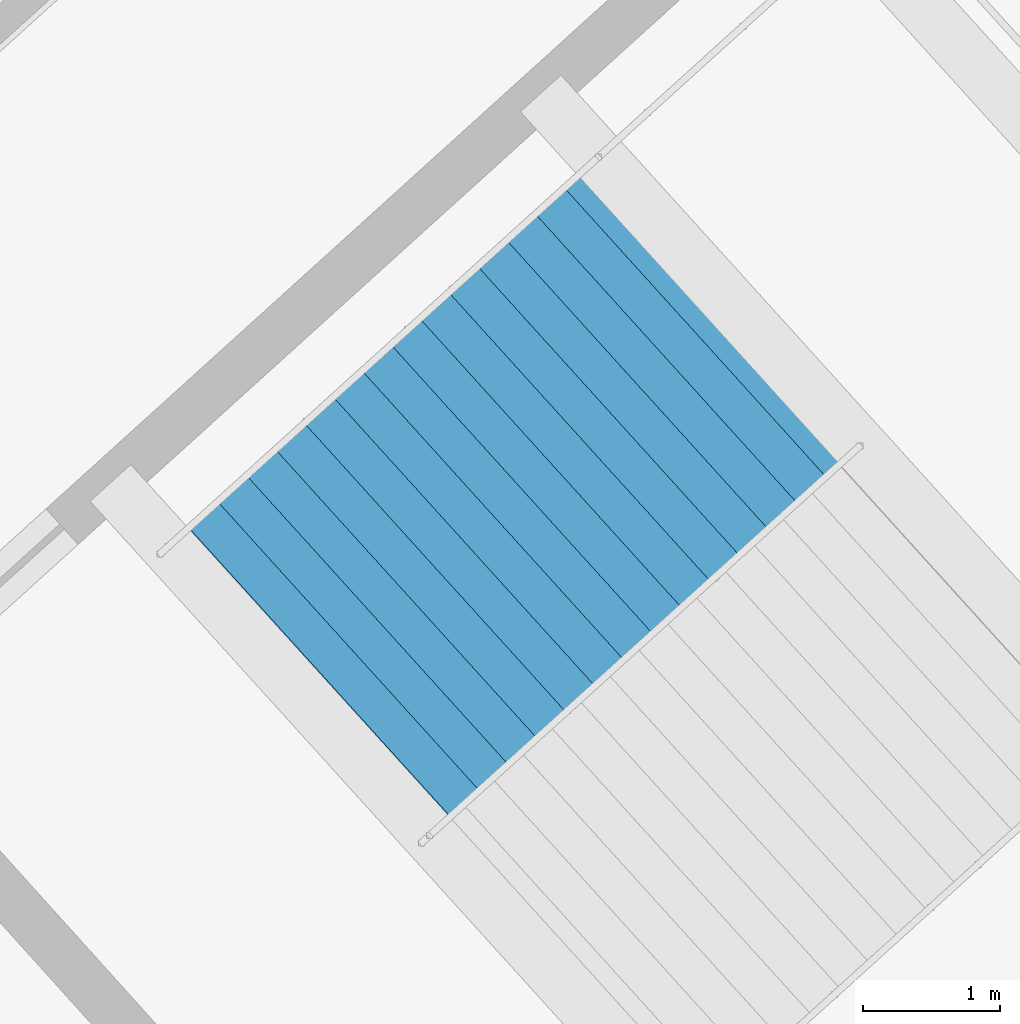
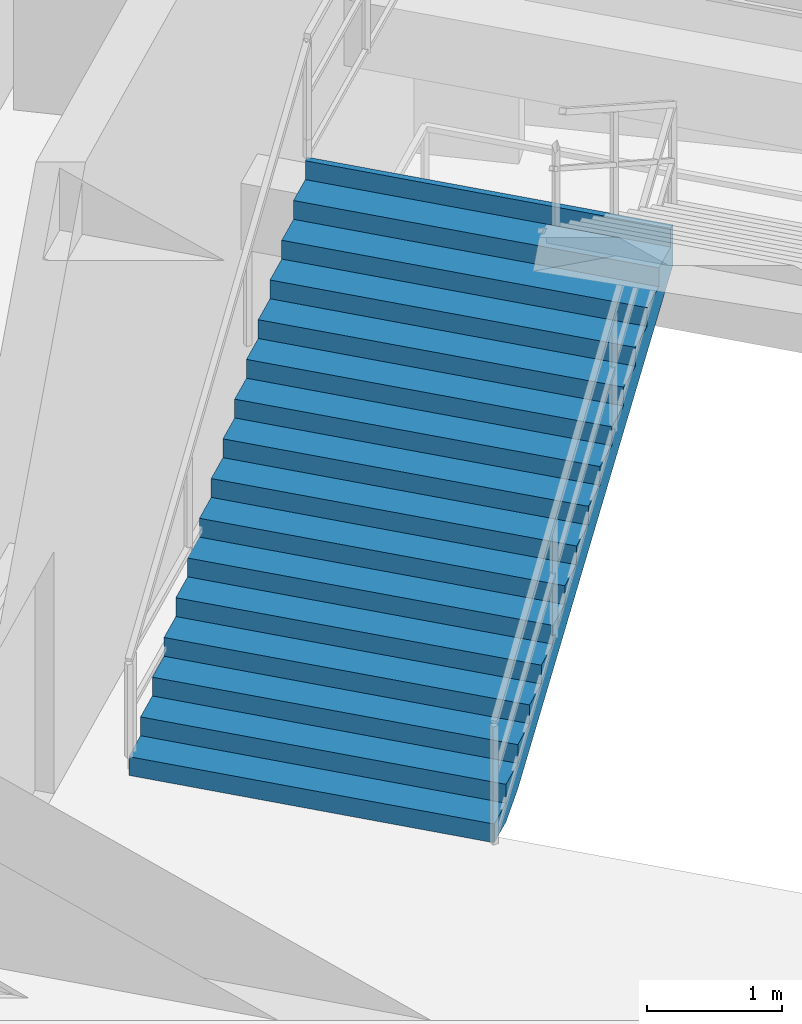
# One storey, part 155 of 162: 1 stair flight, 1 element without a shape of its own.
"""IFC4 building model written with IfcOpenShell, lengths in metres."""

from ifc_helpers import new_model, si_unit, direction, frame, origin, place, context, subcontext, project, spatial, polygons, material, type_object, element, aggregate, save


model = new_model("IFC4")

# Units and contexts
model_context = context("Model", 3, precision=1e-05, world=origin(), true_north=direction((0.0, 1.0)))
body_context = subcontext(model_context, "Body", "Model", "MODEL_VIEW")
ifc_project = project(units=[si_unit("LENGTHUNIT", "METRE"), si_unit("AREAUNIT", "SQUARE_METRE"), si_unit("VOLUMEUNIT", "CUBIC_METRE"), si_unit("PLANEANGLEUNIT", "RADIAN"), si_unit("MASSUNIT", "GRAM", prefix="KILO")], contexts=[model_context])

# Site, building, storey
site_placement = place(None, origin())
site = spatial("IfcSite", under=ifc_project, at=site_placement, CompositionType="ELEMENT")
building_placement = place(site_placement, origin())
building = spatial("IfcBuilding", under=site, at=building_placement, Name="Kazemori Nagisa Stadium", CompositionType="ELEMENT")
storey_placement = place(building_placement, frame((0.0, 0.0, 36.719970703125)))
storey = spatial("IfcBuildingStorey", under=building, at=storey_placement, Name="RF", CompositionType="ELEMENT", Elevation=36.719970703125)

# Stair, stair flight
ifc_material = material(Name="Concrete C36/45 (Fc36)", Category="concrete")
stair_type = type_object("IfcStairType", Name="Stair_CORE_32", PredefinedType="TWO_STRAIGHT_RUN_STAIR", material=ifc_material)
stair_placement = place(storey_placement, origin())
stair = element("IfcStair", 1, at=stair_placement, inside=storey, type_object=stair_type, Name="Exit stair ST04 RF", PredefinedType="TWO_STRAIGHT_RUN_STAIR")
stair_flight_type = type_object("IfcStairFlightType", Name="Flight_CORE_16", PredefinedType="STRAIGHT", material=ifc_material)
stair_flight_placement = place(storey_placement, frame((182.77587890625, 39.410400390625, 0.0), z_axis=(0.0, 0.0, 1.0), x_axis=(0.741328742395, 0.671142083093, 0.0)))
stair_flight = element("IfcStairFlight", 2, at=stair_flight_placement, type_object=stair_flight_type, Name="Exit stair ST04 RF flight 1", NumberOfRisers=16, NumberOfTreads=15, PredefinedType="STRAIGHT", RiserHeight=0.17, TreadLength=0.285, context=body_context, shape_type="Tessellation", body=[
    polygons([(0.0, -1.425048828125, 0.0), (0.0, -1.425048828125, 0.169921875), (0.284912109375, -1.425048828125, 0.169921875), (0.284912109375, -1.425048828125, 0.340087890625), (0.570068359375, -1.425048828125, 0.340087890625), (0.570068359375, -1.425048828125, 0.510009765625), (0.85498046875, -1.425048828125, 0.510009765625), (0.85498046875, -1.425048828125, 0.679931640625), (1.139892578125, -1.425048828125, 0.679931640625), (1.139892578125, -1.425048828125, 0.85009765625), (1.425048828125, -1.425048828125, 0.85009765625), (1.425048828125, -1.425048828125, 1.02001953125), (1.7099609375, -1.425048828125, 1.02001953125), (1.7099609375, -1.425048828125, 1.18994140625), (1.9951171875, -1.425048828125, 1.18994140625), (1.9951171875, -1.425048828125, 1.360107421875), (2.280029296875, -1.425048828125, 1.360107421875), (2.280029296875, -1.425048828125, 1.530029296875), (2.56494140625, -1.425048828125, 1.530029296875), (2.56494140625, -1.425048828125, 1.699951171875), (2.85009765625, -1.425048828125, 1.699951171875), (2.85009765625, -1.425048828125, 1.8701171875), (3.135009765625, -1.425048828125, 1.8701171875), (3.135009765625, -1.425048828125, 2.0400390625), (3.419921875, -1.425048828125, 2.0400390625), (3.419921875, -1.425048828125, 2.2099609375), (3.705078125, -1.425048828125, 2.2099609375), (3.705078125, -1.425048828125, 2.3798828125), (3.989990234375, -1.425048828125, 2.3798828125), (3.989990234375, -1.425048828125, 2.550048828125), (4.27490234375, -1.425048828125, 2.550048828125), (4.27490234375, -1.425048828125, 2.719970703125), (4.324951171875, -1.425048828125, 2.719970703125), (4.324951171875, -1.425048828125, 2.346923828125), (4.27490234375, -1.425048828125, 2.317138671875), (3.989990234375, -1.425048828125, 2.147216796875), (3.705078125, -1.425048828125, 1.977294921875), (3.419921875, -1.425048828125, 1.80712890625), (3.135009765625, -1.425048828125, 1.63720703125), (2.85009765625, -1.425048828125, 1.46728515625), (2.56494140625, -1.425048828125, 1.297119140625), (2.280029296875, -1.425048828125, 1.127197265625), (1.9951171875, -1.425048828125, 0.957275390625), (1.7099609375, -1.425048828125, 0.787109375), (1.425048828125, -1.425048828125, 0.6171875), (1.139892578125, -1.425048828125, 0.447265625), (0.85498046875, -1.425048828125, 0.277099609375), (0.570068359375, -1.425048828125, 0.107177734375), (0.284912109375, -1.425048828125, 0.0), (0.0, -0.08544921875, 0.0), (0.0, -0.08544921875, 0.169921875), (0.284912109375, -0.08544921875, 0.169921875), (0.284912109375, -0.08544921875, 0.340087890625), (0.570068359375, -0.08544921875, 0.340087890625), (0.570068359375, -0.08544921875, 0.510009765625), (0.85498046875, -0.08544921875, 0.510009765625), (0.85498046875, -0.08544921875, 0.679931640625), (1.139892578125, -0.08544921875, 0.679931640625), (1.139892578125, -0.08544921875, 0.85009765625), (1.425048828125, -0.08544921875, 0.85009765625), (1.425048828125, -0.08544921875, 1.02001953125), (1.7099609375, -0.08544921875, 1.02001953125), (1.7099609375, -0.08544921875, 1.18994140625), (1.9951171875, -0.08544921875, 1.18994140625), (1.9951171875, -0.08544921875, 1.360107421875), (2.280029296875, -0.08544921875, 1.360107421875), (2.280029296875, -0.08544921875, 1.530029296875), (2.56494140625, -0.08544921875, 1.530029296875), (2.56494140625, -0.08544921875, 1.699951171875), (2.85009765625, -0.08544921875, 1.699951171875), (2.85009765625, -0.08544921875, 1.8701171875), (3.135009765625, -0.08544921875, 1.8701171875), (3.135009765625, -0.08544921875, 2.0400390625), (3.419921875, -0.08544921875, 2.0400390625), (3.419921875, -0.08544921875, 2.2099609375), (3.705078125, -0.08544921875, 2.2099609375), (3.705078125, -0.08544921875, 2.3798828125), (3.989990234375, -0.08544921875, 2.3798828125), (3.989990234375, -0.08544921875, 2.550048828125), (4.27490234375, -0.08544921875, 2.550048828125), (4.27490234375, -0.08544921875, 2.719970703125), (4.324951171875, -0.08544921875, 2.719970703125), (4.324951171875, -0.08544921875, 2.346923828125), (4.27490234375, -0.08544921875, 2.317138671875), (3.989990234375, -0.08544921875, 2.147216796875), (3.705078125, -0.08544921875, 1.977294921875), (3.419921875, -0.08544921875, 1.80712890625), (3.135009765625, -0.08544921875, 1.63720703125), (2.85009765625, -0.08544921875, 1.46728515625), (2.56494140625, -0.08544921875, 1.297119140625), (2.280029296875, -0.08544921875, 1.127197265625), (1.9951171875, -0.08544921875, 0.957275390625), (1.7099609375, -0.08544921875, 0.787109375), (1.425048828125, -0.08544921875, 0.6171875), (1.139892578125, -0.08544921875, 0.447265625), (0.85498046875, -0.08544921875, 0.277099609375), (0.570068359375, -0.08544921875, 0.107177734375), (0.284912109375, -0.08544921875, 0.0), (0.0, 0.0, 0.0), (0.0, 0.0, 0.169921875), (0.284912109375, 0.0, 0.169921875), (0.284912109375, 0.0, 0.340087890625), (0.570068359375, 0.0, 0.340087890625), (0.570068359375, 0.0, 0.510009765625), (0.85498046875, 0.0, 0.510009765625), (0.85498046875, 0.0, 0.679931640625), (1.139892578125, 0.0, 0.679931640625), (1.139892578125, 0.0, 0.85009765625), (1.425048828125, 0.0, 0.85009765625), (1.425048828125, 0.0, 1.02001953125), (1.7099609375, 0.0, 1.02001953125), (1.7099609375, 0.0, 1.18994140625), (1.9951171875, 0.0, 1.18994140625), (1.9951171875, 0.0, 1.360107421875), (2.280029296875, 0.0, 1.360107421875), (2.280029296875, 0.0, 1.530029296875), (2.56494140625, 0.0, 1.530029296875), (2.56494140625, 0.0, 1.699951171875), (2.85009765625, 0.0, 1.699951171875), (2.85009765625, 0.0, 1.8701171875), (3.135009765625, 0.0, 1.8701171875), (3.135009765625, 0.0, 2.0400390625), (3.419921875, 0.0, 2.0400390625), (3.419921875, 0.0, 2.2099609375), (3.705078125, 0.0, 2.2099609375), (3.705078125, 0.0, 2.3798828125), (3.989990234375, 0.0, 2.3798828125), (3.989990234375, 0.0, 2.550048828125), (4.27490234375, 0.0, 2.550048828125), (4.27490234375, 0.0, 2.719970703125), (4.324951171875, 0.0, 2.719970703125), (4.324951171875, 0.0, 2.346923828125), (4.27490234375, 0.0, 2.317138671875), (3.989990234375, 0.0, 2.147216796875), (3.705078125, 0.0, 1.977294921875), (3.419921875, 0.0, 1.80712890625), (3.135009765625, 0.0, 1.63720703125), (2.85009765625, 0.0, 1.46728515625), (2.56494140625, 0.0, 1.297119140625), (2.280029296875, 0.0, 1.127197265625), (1.9951171875, 0.0, 0.957275390625), (1.7099609375, 0.0, 0.787109375), (1.425048828125, 0.0, 0.6171875), (1.139892578125, 0.0, 0.447265625), (0.85498046875, 0.0, 0.277099609375), (0.570068359375, 0.0, 0.107177734375), (0.284912109375, 0.0, 0.0), (0.0, 0.08544921875, 0.0), (0.0, 0.08544921875, 0.169921875), (0.284912109375, 0.08544921875, 0.169921875), (0.284912109375, 0.08544921875, 0.340087890625), (0.570068359375, 0.08544921875, 0.340087890625), (0.570068359375, 0.08544921875, 0.510009765625), (0.85498046875, 0.08544921875, 0.510009765625), (0.85498046875, 0.08544921875, 0.679931640625), (1.139892578125, 0.08544921875, 0.679931640625), (1.139892578125, 0.08544921875, 0.85009765625), (1.425048828125, 0.08544921875, 0.85009765625), (1.425048828125, 0.08544921875, 1.02001953125), (1.7099609375, 0.08544921875, 1.02001953125), (1.7099609375, 0.08544921875, 1.18994140625), (1.9951171875, 0.08544921875, 1.18994140625), (1.9951171875, 0.08544921875, 1.360107421875), (2.280029296875, 0.08544921875, 1.360107421875), (2.280029296875, 0.08544921875, 1.530029296875), (2.56494140625, 0.08544921875, 1.530029296875), (2.56494140625, 0.08544921875, 1.699951171875), (2.85009765625, 0.08544921875, 1.699951171875), (2.85009765625, 0.08544921875, 1.8701171875), (3.135009765625, 0.08544921875, 1.8701171875), (3.135009765625, 0.08544921875, 2.0400390625), (3.419921875, 0.08544921875, 2.0400390625), (3.419921875, 0.08544921875, 2.2099609375), (3.705078125, 0.08544921875, 2.2099609375), (3.705078125, 0.08544921875, 2.3798828125), (3.989990234375, 0.08544921875, 2.3798828125), (3.989990234375, 0.08544921875, 2.550048828125), (4.27490234375, 0.08544921875, 2.550048828125), (4.27490234375, 0.08544921875, 2.719970703125), (4.324951171875, 0.08544921875, 2.719970703125), (4.324951171875, 0.08544921875, 2.346923828125), (4.27490234375, 0.08544921875, 2.317138671875), (3.989990234375, 0.08544921875, 2.147216796875), (3.705078125, 0.08544921875, 1.977294921875), (3.419921875, 0.08544921875, 1.80712890625), (3.135009765625, 0.08544921875, 1.63720703125), (2.85009765625, 0.08544921875, 1.46728515625), (2.56494140625, 0.08544921875, 1.297119140625), (2.280029296875, 0.08544921875, 1.127197265625), (1.9951171875, 0.08544921875, 0.957275390625), (1.7099609375, 0.08544921875, 0.787109375), (1.425048828125, 0.08544921875, 0.6171875), (1.139892578125, 0.08544921875, 0.447265625), (0.85498046875, 0.08544921875, 0.277099609375), (0.570068359375, 0.08544921875, 0.107177734375), (0.284912109375, 0.08544921875, 0.0), (0.0, 1.425048828125, 0.0), (0.0, 1.425048828125, 0.169921875), (0.284912109375, 1.425048828125, 0.169921875), (0.284912109375, 1.425048828125, 0.340087890625), (0.570068359375, 1.425048828125, 0.340087890625), (0.570068359375, 1.425048828125, 0.510009765625), (0.85498046875, 1.425048828125, 0.510009765625), (0.85498046875, 1.425048828125, 0.679931640625), (1.139892578125, 1.425048828125, 0.679931640625), (1.139892578125, 1.425048828125, 0.85009765625), (1.425048828125, 1.425048828125, 0.85009765625), (1.425048828125, 1.425048828125, 1.02001953125), (1.7099609375, 1.425048828125, 1.02001953125), (1.7099609375, 1.425048828125, 1.18994140625), (1.9951171875, 1.425048828125, 1.18994140625), (1.9951171875, 1.425048828125, 1.360107421875), (2.280029296875, 1.425048828125, 1.360107421875), (2.280029296875, 1.425048828125, 1.530029296875), (2.56494140625, 1.425048828125, 1.530029296875), (2.56494140625, 1.425048828125, 1.699951171875), (2.85009765625, 1.425048828125, 1.699951171875), (2.85009765625, 1.425048828125, 1.8701171875), (3.135009765625, 1.425048828125, 1.8701171875), (3.135009765625, 1.425048828125, 2.0400390625), (3.419921875, 1.425048828125, 2.0400390625), (3.419921875, 1.425048828125, 2.2099609375), (3.705078125, 1.425048828125, 2.2099609375), (3.705078125, 1.425048828125, 2.3798828125), (3.989990234375, 1.425048828125, 2.3798828125), (3.989990234375, 1.425048828125, 2.550048828125), (4.27490234375, 1.425048828125, 2.550048828125), (4.27490234375, 1.425048828125, 2.719970703125), (4.324951171875, 1.425048828125, 2.719970703125), (4.324951171875, 1.425048828125, 2.346923828125), (4.27490234375, 1.425048828125, 2.317138671875), (3.989990234375, 1.425048828125, 2.147216796875), (3.705078125, 1.425048828125, 1.977294921875), (3.419921875, 1.425048828125, 1.80712890625), (3.135009765625, 1.425048828125, 1.63720703125), (2.85009765625, 1.425048828125, 1.46728515625), (2.56494140625, 1.425048828125, 1.297119140625), (2.280029296875, 1.425048828125, 1.127197265625), (1.9951171875, 1.425048828125, 0.957275390625), (1.7099609375, 1.425048828125, 0.787109375), (1.425048828125, 1.425048828125, 0.6171875), (1.139892578125, 1.425048828125, 0.447265625), (0.85498046875, 1.425048828125, 0.277099609375), (0.570068359375, 1.425048828125, 0.107177734375), (0.284912109375, 1.425048828125, 0.0)], [[[1, 2, 51]], [[1, 51, 50]], [[2, 3, 52]], [[2, 52, 51]], [[3, 4, 53]], [[3, 53, 52]], [[4, 5, 54]], [[4, 54, 53]], [[5, 6, 55]], [[5, 55, 54]], [[6, 7, 56]], [[6, 56, 55]], [[7, 8, 57]], [[7, 57, 56]], [[8, 9, 58]], [[8, 58, 57]], [[9, 10, 59]], [[9, 59, 58]], [[10, 11, 60]], [[10, 60, 59]], [[11, 12, 61]], [[11, 61, 60]], [[12, 13, 62]], [[12, 62, 61]], [[13, 14, 63]], [[13, 63, 62]], [[14, 15, 64]], [[14, 64, 63]], [[15, 16, 65]], [[15, 65, 64]], [[16, 17, 66]], [[16, 66, 65]], [[17, 18, 67]], [[17, 67, 66]], [[18, 19, 68]], [[18, 68, 67]], [[19, 20, 69]], [[19, 69, 68]], [[20, 21, 70]], [[20, 70, 69]], [[21, 22, 71]], [[21, 71, 70]], [[22, 23, 72]], [[22, 72, 71]], [[23, 24, 73]], [[23, 73, 72]], [[24, 25, 74]], [[24, 74, 73]], [[25, 26, 75]], [[25, 75, 74]], [[26, 27, 76]], [[26, 76, 75]], [[27, 28, 77]], [[27, 77, 76]], [[28, 29, 78]], [[28, 78, 77]], [[29, 30, 79]], [[29, 79, 78]], [[30, 31, 80]], [[30, 80, 79]], [[31, 32, 81]], [[31, 81, 80]], [[32, 33, 82]], [[32, 82, 81]], [[33, 34, 83]], [[33, 83, 82]], [[34, 35, 84]], [[34, 84, 83]], [[35, 36, 85]], [[35, 85, 84]], [[36, 37, 86]], [[36, 86, 85]], [[37, 38, 87]], [[37, 87, 86]], [[38, 39, 88]], [[38, 88, 87]], [[39, 40, 89]], [[39, 89, 88]], [[40, 41, 90]], [[40, 90, 89]], [[41, 42, 91]], [[41, 91, 90]], [[42, 43, 92]], [[42, 92, 91]], [[43, 44, 93]], [[43, 93, 92]], [[44, 45, 94]], [[44, 94, 93]], [[45, 46, 95]], [[45, 95, 94]], [[46, 47, 96]], [[46, 96, 95]], [[47, 48, 97]], [[47, 97, 96]], [[48, 49, 98]], [[48, 98, 97]], [[49, 1, 50]], [[49, 50, 98]], [[50, 51, 100]], [[50, 100, 99]], [[51, 52, 101]], [[51, 101, 100]], [[52, 53, 102]], [[52, 102, 101]], [[53, 54, 103]], [[53, 103, 102]], [[54, 55, 104]], [[54, 104, 103]], [[55, 56, 105]], [[55, 105, 104]], [[56, 57, 106]], [[56, 106, 105]], [[57, 58, 107]], [[57, 107, 106]], [[58, 59, 108]], [[58, 108, 107]], [[59, 60, 109]], [[59, 109, 108]], [[60, 61, 110]], [[60, 110, 109]], [[61, 62, 111]], [[61, 111, 110]], [[62, 63, 112]], [[62, 112, 111]], [[63, 64, 113]], [[63, 113, 112]], [[64, 65, 114]], [[64, 114, 113]], [[65, 66, 115]], [[65, 115, 114]], [[66, 67, 116]], [[66, 116, 115]], [[67, 68, 117]], [[67, 117, 116]], [[68, 69, 118]], [[68, 118, 117]], [[69, 70, 119]], [[69, 119, 118]], [[70, 71, 120]], [[70, 120, 119]], [[71, 72, 121]], [[71, 121, 120]], [[72, 73, 122]], [[72, 122, 121]], [[73, 74, 123]], [[73, 123, 122]], [[74, 75, 124]], [[74, 124, 123]], [[75, 76, 125]], [[75, 125, 124]], [[76, 77, 126]], [[76, 126, 125]], [[77, 78, 127]], [[77, 127, 126]], [[78, 79, 128]], [[78, 128, 127]], [[79, 80, 129]], [[79, 129, 128]], [[80, 81, 130]], [[80, 130, 129]], [[81, 82, 131]], [[81, 131, 130]], [[82, 83, 132]], [[82, 132, 131]], [[83, 84, 133]], [[83, 133, 132]], [[84, 85, 134]], [[84, 134, 133]], [[85, 86, 135]], [[85, 135, 134]], [[86, 87, 136]], [[86, 136, 135]], [[87, 88, 137]], [[87, 137, 136]], [[88, 89, 138]], [[88, 138, 137]], [[89, 90, 139]], [[89, 139, 138]], [[90, 91, 140]], [[90, 140, 139]], [[91, 92, 141]], [[91, 141, 140]], [[92, 93, 142]], [[92, 142, 141]], [[93, 94, 143]], [[93, 143, 142]], [[94, 95, 144]], [[94, 144, 143]], [[95, 96, 145]], [[95, 145, 144]], [[96, 97, 146]], [[96, 146, 145]], [[97, 98, 147]], [[97, 147, 146]], [[98, 50, 99]], [[98, 99, 147]], [[99, 100, 149]], [[99, 149, 148]], [[100, 101, 150]], [[100, 150, 149]], [[101, 102, 151]], [[101, 151, 150]], [[102, 103, 152]], [[102, 152, 151]], [[103, 104, 153]], [[103, 153, 152]], [[104, 105, 154]], [[104, 154, 153]], [[105, 106, 155]], [[105, 155, 154]], [[106, 107, 156]], [[106, 156, 155]], [[107, 108, 157]], [[107, 157, 156]], [[108, 109, 158]], [[108, 158, 157]], [[109, 110, 159]], [[109, 159, 158]], [[110, 111, 160]], [[110, 160, 159]], [[111, 112, 161]], [[111, 161, 160]], [[112, 113, 162]], [[112, 162, 161]], [[113, 114, 163]], [[113, 163, 162]], [[114, 115, 164]], [[114, 164, 163]], [[115, 116, 165]], [[115, 165, 164]], [[116, 117, 166]], [[116, 166, 165]], [[117, 118, 167]], [[117, 167, 166]], [[118, 119, 168]], [[118, 168, 167]], [[119, 120, 169]], [[119, 169, 168]], [[120, 121, 170]], [[120, 170, 169]], [[121, 122, 171]], [[121, 171, 170]], [[122, 123, 172]], [[122, 172, 171]], [[123, 124, 173]], [[123, 173, 172]], [[124, 125, 174]], [[124, 174, 173]], [[125, 126, 175]], [[125, 175, 174]], [[126, 127, 176]], [[126, 176, 175]], [[127, 128, 177]], [[127, 177, 176]], [[128, 129, 178]], [[128, 178, 177]], [[129, 130, 179]], [[129, 179, 178]], [[130, 131, 180]], [[130, 180, 179]], [[131, 132, 181]], [[131, 181, 180]], [[132, 133, 182]], [[132, 182, 181]], [[133, 134, 183]], [[133, 183, 182]], [[134, 135, 184]], [[134, 184, 183]], [[135, 136, 185]], [[135, 185, 184]], [[136, 137, 186]], [[136, 186, 185]], [[137, 138, 187]], [[137, 187, 186]], [[138, 139, 188]], [[138, 188, 187]], [[139, 140, 189]], [[139, 189, 188]], [[140, 141, 190]], [[140, 190, 189]], [[141, 142, 191]], [[141, 191, 190]], [[142, 143, 192]], [[142, 192, 191]], [[143, 144, 193]], [[143, 193, 192]], [[144, 145, 194]], [[144, 194, 193]], [[145, 146, 195]], [[145, 195, 194]], [[146, 147, 196]], [[146, 196, 195]], [[147, 99, 148]], [[147, 148, 196]], [[148, 149, 198]], [[148, 198, 197]], [[149, 150, 199]], [[149, 199, 198]], [[150, 151, 200]], [[150, 200, 199]], [[151, 152, 201]], [[151, 201, 200]], [[152, 153, 202]], [[152, 202, 201]], [[153, 154, 203]], [[153, 203, 202]], [[154, 155, 204]], [[154, 204, 203]], [[155, 156, 205]], [[155, 205, 204]], [[156, 157, 206]], [[156, 206, 205]], [[157, 158, 207]], [[157, 207, 206]], [[158, 159, 208]], [[158, 208, 207]], [[159, 160, 209]], [[159, 209, 208]], [[160, 161, 210]], [[160, 210, 209]], [[161, 162, 211]], [[161, 211, 210]], [[162, 163, 212]], [[162, 212, 211]], [[163, 164, 213]], [[163, 213, 212]], [[164, 165, 214]], [[164, 214, 213]], [[165, 166, 215]], [[165, 215, 214]], [[166, 167, 216]], [[166, 216, 215]], [[167, 168, 217]], [[167, 217, 216]], [[168, 169, 218]], [[168, 218, 217]], [[169, 170, 219]], [[169, 219, 218]], [[170, 171, 220]], [[170, 220, 219]], [[171, 172, 221]], [[171, 221, 220]], [[172, 173, 222]], [[172, 222, 221]], [[173, 174, 223]], [[173, 223, 222]], [[174, 175, 224]], [[174, 224, 223]], [[175, 176, 225]], [[175, 225, 224]], [[176, 177, 226]], [[176, 226, 225]], [[177, 178, 227]], [[177, 227, 226]], [[178, 179, 228]], [[178, 228, 227]], [[179, 180, 229]], [[179, 229, 228]], [[180, 181, 230]], [[180, 230, 229]], [[181, 182, 231]], [[181, 231, 230]], [[182, 183, 232]], [[182, 232, 231]], [[183, 184, 233]], [[183, 233, 232]], [[184, 185, 234]], [[184, 234, 233]], [[185, 186, 235]], [[185, 235, 234]], [[186, 187, 236]], [[186, 236, 235]], [[187, 188, 237]], [[187, 237, 236]], [[188, 189, 238]], [[188, 238, 237]], [[189, 190, 239]], [[189, 239, 238]], [[190, 191, 240]], [[190, 240, 239]], [[191, 192, 241]], [[191, 241, 240]], [[192, 193, 242]], [[192, 242, 241]], [[193, 194, 243]], [[193, 243, 242]], [[194, 195, 244]], [[194, 244, 243]], [[195, 196, 245]], [[195, 245, 244]], [[196, 148, 197]], [[196, 197, 245]], [[3, 2, 1]], [[197, 198, 199]], [[49, 3, 1]], [[197, 199, 245]], [[48, 3, 49]], [[245, 199, 244]], [[5, 3, 48]], [[244, 199, 201]], [[5, 4, 3]], [[199, 200, 201]], [[47, 5, 48]], [[244, 201, 243]], [[7, 5, 47]], [[243, 201, 203]], [[7, 6, 5]], [[201, 202, 203]], [[46, 7, 47]], [[243, 203, 242]], [[9, 7, 46]], [[242, 203, 205]], [[9, 8, 7]], [[203, 204, 205]], [[45, 9, 46]], [[242, 205, 241]], [[11, 9, 45]], [[241, 205, 207]], [[11, 10, 9]], [[205, 206, 207]], [[44, 11, 45]], [[241, 207, 240]], [[13, 11, 44]], [[240, 207, 209]], [[13, 12, 11]], [[207, 208, 209]], [[43, 13, 44]], [[240, 209, 239]], [[15, 13, 43]], [[239, 209, 211]], [[15, 14, 13]], [[209, 210, 211]], [[42, 15, 43]], [[239, 211, 238]], [[17, 15, 42]], [[238, 211, 213]], [[17, 16, 15]], [[211, 212, 213]], [[41, 17, 42]], [[238, 213, 237]], [[19, 17, 41]], [[237, 213, 215]], [[19, 18, 17]], [[213, 214, 215]], [[40, 19, 41]], [[237, 215, 236]], [[21, 19, 40]], [[236, 215, 217]], [[21, 20, 19]], [[215, 216, 217]], [[39, 21, 40]], [[236, 217, 235]], [[23, 21, 39]], [[235, 217, 219]], [[23, 22, 21]], [[217, 218, 219]], [[38, 23, 39]], [[235, 219, 234]], [[25, 23, 38]], [[234, 219, 221]], [[25, 24, 23]], [[219, 220, 221]], [[37, 25, 38]], [[234, 221, 233]], [[27, 25, 37]], [[233, 221, 223]], [[27, 26, 25]], [[221, 222, 223]], [[36, 27, 37]], [[233, 223, 232]], [[29, 27, 36]], [[232, 223, 225]], [[29, 28, 27]], [[223, 224, 225]], [[35, 29, 36]], [[232, 225, 231]], [[31, 29, 35]], [[231, 225, 227]], [[31, 30, 29]], [[225, 226, 227]], [[34, 31, 35]], [[231, 227, 230]], [[33, 31, 34]], [[230, 227, 229]], [[33, 32, 31]], [[227, 228, 229]]], closed=True),
])
aggregate(stair, [stair_flight])

save(model, "model.ifc")
